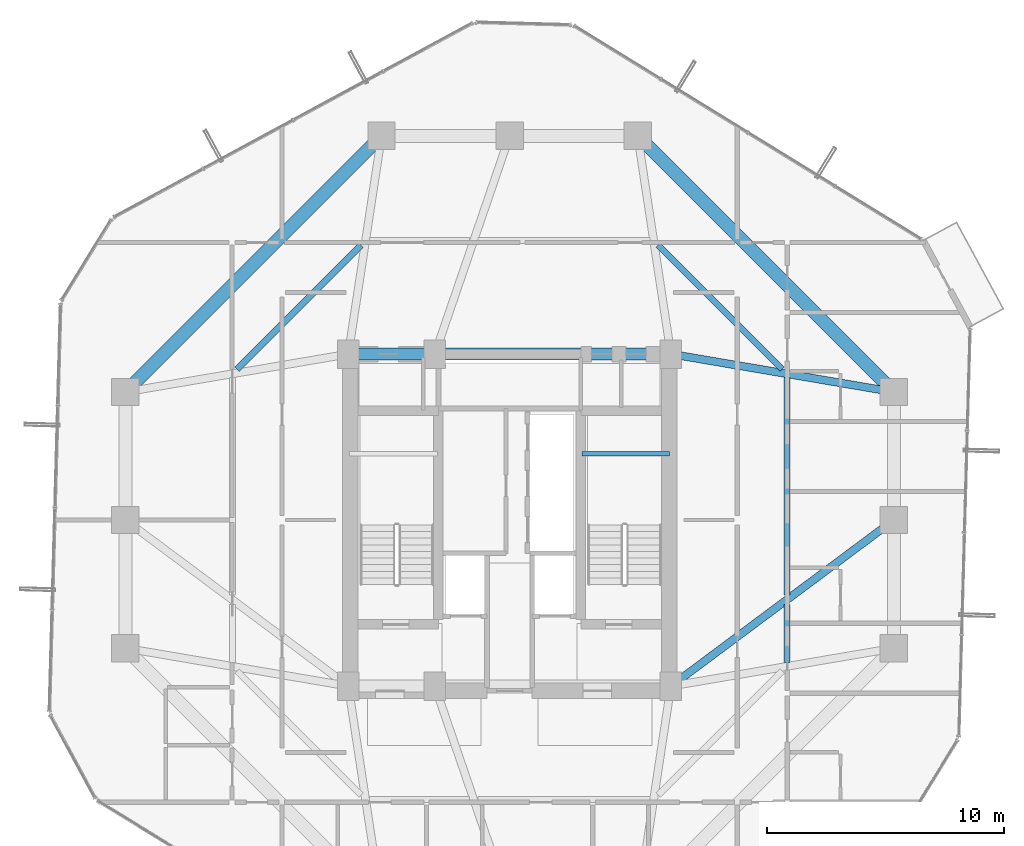
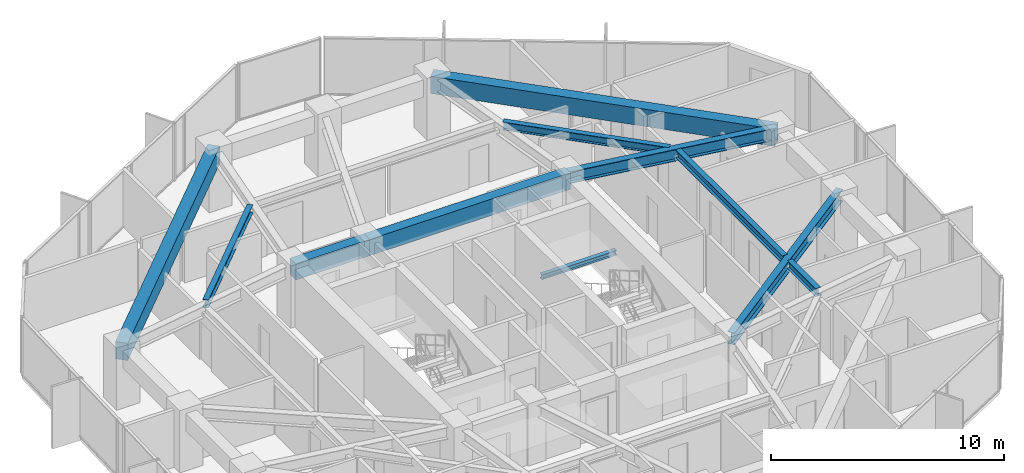
# One storey, part 12 of 30: 11 beams.
"""IFC4 building model written with IfcOpenShell, lengths in metres."""

from ifc_helpers import new_model, si_unit, direction, frame, origin, origin_2d, place, context, subcontext, project, spatial, rectangle, i_section, extrude, material, material_profile, profile_set, type_object, element, save


model = new_model("IFC4")

# Units and contexts
model_context = context("Model", 3, precision=1e-05, world=origin(), true_north=direction((0.0, 1.0)))
body_context = subcontext(model_context, "Body", "Model", "MODEL_VIEW")
ifc_project = project(units=[si_unit("LENGTHUNIT", "METRE"), si_unit("AREAUNIT", "SQUARE_METRE"), si_unit("VOLUMEUNIT", "CUBIC_METRE"), si_unit("PLANEANGLEUNIT", "RADIAN"), si_unit("MASSUNIT", "GRAM", prefix="KILO")], contexts=[model_context])

# Site, building, storey
site_placement = place(None, origin())
site = spatial("IfcSite", under=ifc_project, at=site_placement, CompositionType="ELEMENT")
building_placement = place(site_placement, origin())
building = spatial("IfcBuilding", under=site, at=building_placement, Name="Veraguas Prism Commons", CompositionType="ELEMENT")
storey_placement = place(building_placement, frame((0.0, 0.0, 123.0)))
storey = spatial("IfcBuildingStorey", under=building, at=storey_placement, Name="L34", CompositionType="ELEMENT", Elevation=123.0)

# Beams
ifc_material_1 = material(Name="Concrete C50/60", Category="concrete")
ifc_material_profile_1 = material_profile(ifc_material_1, rectangle(XDim=0.5, YDim=0.85009765625, at=origin_2d()), Name="RC500X850")
ifc_profile_set_1 = profile_set([ifc_material_profile_1], Name="Concrete C50/60")
beam_type_1 = type_object("IfcBeamType", Name="Core Coupling Beam RC 500x850", PredefinedType="BEAM", material=ifc_profile_set_1)
beam_1_placement = place(storey_placement, frame((17.199951171875, 31.0, 2.574951171875), z_axis=(1.0, 0.0, 0.0), x_axis=(0.0, 1.0, 0.0)))
element("IfcBeam", 1, at=beam_1_placement, inside=storey, type_object=beam_type_1, Name="Core Coupling Beam L34-CRN1", PredefinedType="BEAM", context=body_context, shape_type="SweptSolid", body=[
    extrude(rectangle(XDim=0.5, YDim=0.85009765625, at=origin_2d()), origin(), (0.0, 0.0, 1.0), 3.650146484375),
])
beam_2_placement = place(storey_placement, frame((20.85009765625, 31.0, 2.574951171875), z_axis=(1.0, 0.0, 0.0), x_axis=(0.0, 1.0, 0.0)))
element("IfcBeam", 2, at=beam_2_placement, inside=storey, type_object=beam_type_1, Name="Core Coupling Beam L34-CRN2", PredefinedType="BEAM", context=body_context, shape_type="SweptSolid", body=[
    extrude(rectangle(XDim=0.5, YDim=0.85009765625, at=origin_2d()), origin(), (0.0, 0.0, 1.0), 9.949951171875),
])
ifc_material_2 = material(Name="Steel ASTM A992 Grade 50", Category="steel")
ifc_material_profile_2 = material_profile(ifc_material_2, i_section(OverallWidth=0.260986328125, OverallDepth=0.419921875, WebThickness=0.01171875, FlangeThickness=0.019287109375, at=origin_2d()), Name="W410X114")
ifc_profile_set_2 = profile_set([ifc_material_profile_2], Name="Steel ASTM A992 Grade 50")
beam_type_2 = type_object("IfcBeamType", Name="Lower Floor Joist W410x114", PredefinedType="JOIST", material=ifc_profile_set_2)
beam_3_placement = place(storey_placement, frame((35.68798828125, 17.996337890625, 2.7900390625), z_axis=(0.0, 1.0, 0.0), x_axis=(-1.0, 0.0, 0.0)))
element("IfcBeam", 3, at=beam_3_placement, inside=storey, type_object=beam_type_2, Name="Composite Floor Joist L34-JS01", PredefinedType="JOIST", context=body_context, shape_type="SweptSolid", body=[
    extrude(i_section(OverallWidth=0.260986328125, OverallDepth=0.419921875, WebThickness=0.01171875, FlangeThickness=0.019287109375, at=origin_2d()), origin(), (0.0, 0.0, 1.0), 2.441650390625),
])
beam_4_placement = place(storey_placement, frame((35.68798828125, 20.842041015625, 2.7900390625), z_axis=(0.0, 1.0, 0.0), x_axis=(-1.0, 0.0, 0.0)))
element("IfcBeam", 4, at=beam_4_placement, inside=storey, type_object=beam_type_2, Name="Composite Floor Joist L34-JS02", PredefinedType="JOIST", context=body_context, shape_type="SweptSolid", body=[
    extrude(i_section(OverallWidth=0.260986328125, OverallDepth=0.419921875, WebThickness=0.01171875, FlangeThickness=0.019287109375, at=origin_2d()), origin(), (0.0, 0.0, 1.0), 9.16162109375),
])
for number, where, z_axis, x_axis, name in (
    (5, (35.489990234375, 30.365966796875, 2.7900390625), (-0.707090260193, 0.707123301794, 0.0), (-0.707123301794, -0.707090260193, 0.0), "Composite Floor Joist L34-JS03"),
    (6, (17.734619140625, 35.5908203125, 2.7900390625), (-0.707090260193, -0.707123301794, 0.0), (0.707123301794, -0.707090260193, 0.0), "Composite Floor Joist L34-JS06"),
):
    element("IfcBeam", number, at=place(storey_placement, frame(where, z_axis=z_axis, x_axis=x_axis)), inside=storey, type_object=beam_type_2, Name=name, PredefinedType="JOIST", context=body_context, shape_type="SweptSolid", body=[
        extrude(i_section(OverallWidth=0.260986328125, OverallDepth=0.419921875, WebThickness=0.01171875, FlangeThickness=0.019287109375, at=origin_2d()), origin(), (0.0, 0.0, 1.0), 7.388916015625),
    ])
ifc_material_profile_3 = material_profile(ifc_material_1, rectangle(XDim=0.550048828125, YDim=0.89990234375, at=origin_2d()), Name="RC550X900")
ifc_profile_set_3 = profile_set([ifc_material_profile_3], Name="Concrete C50/60")
beam_type_3 = type_object("IfcBeamType", Name="Perimeter Spandrel Lower RC 550x900", PredefinedType="SPANDREL", material=ifc_profile_set_3)
for number, where, z_axis, x_axis, name in (
    (7, (40.199951171875, 29.39990234375, 2.550048828125), (-0.707106781187, 0.707106781187, 0.0), (-0.707106781187, -0.707106781187, 0.0), "Perimeter Spandrel Beam L34-SP03"),
    (8, (18.60009765625, 40.199951171875, 2.550048828125), (-0.707106781187, -0.707106781187, 0.0), (0.707106781187, -0.707106781187, 0.0), "Perimeter Spandrel Beam L34-SP06"),
):
    element("IfcBeam", number, at=place(storey_placement, frame(where, z_axis=z_axis, x_axis=x_axis)), inside=storey, type_object=beam_type_3, Name=name, PredefinedType="SPANDREL", context=body_context, shape_type="SweptSolid", body=[
        extrude(rectangle(XDim=0.550048828125, YDim=0.89990234375, at=origin_2d()), origin(), (0.0, 0.0, 1.0), 15.273681640625),
    ])
ifc_material_profile_4 = material_profile(ifc_material_2, i_section(OverallWidth=0.202880859375, OverallDepth=0.251953125, WebThickness=0.008056640625, FlangeThickness=0.013427734375, at=origin_2d()), Name="W250X58")
ifc_profile_set_4 = profile_set([ifc_material_profile_4], Name="Steel ASTM A992 Grade 50")
beam_type_4 = type_object("IfcBeamType", Name="Structural Opening Lintel W250x58", PredefinedType="LINTEL", material=ifc_profile_set_4)
beam_5_placement = place(storey_placement, frame((27.050048828125, 26.800048828125, 1.299072265625), z_axis=(1.0, 0.0, 0.0), x_axis=(0.0, 1.0, 0.0)))
element("IfcBeam", 9, at=beam_5_placement, inside=storey, type_object=beam_type_4, Name="Stair ST-02 Half-Landing Support Beam L34-1", PredefinedType="LINTEL", context=body_context, shape_type="SweptSolid", body=[
    extrude(i_section(OverallWidth=0.202880859375, OverallDepth=0.251953125, WebThickness=0.008056640625, FlangeThickness=0.013427734375, at=origin_2d()), origin(), (0.0, 0.0, 1.0), 3.699951171875),
])
ifc_material_profile_5 = material_profile(ifc_material_2, i_section(OverallWidth=0.327880859375, OverallDepth=0.6220703125, WebThickness=0.015380859375, FlangeThickness=0.0244140625, at=origin_2d()), Name="W610X195")
ifc_profile_set_5 = profile_set([ifc_material_profile_5], Name="Steel ASTM A992 Grade 50")
beam_type_5 = type_object("IfcBeamType", Name="Zone 2 Radial Girder W610x195", PredefinedType="BEAM", material=ifc_profile_set_5)
beam_6_placement = place(storey_placement, frame((40.199951171875, 24.0, 2.68896484375), z_axis=(-0.802040137921, -0.597270137512, 0.0), x_axis=(0.597270137512, -0.802040137921, 0.0)))
element("IfcBeam", 10, at=beam_6_placement, inside=storey, type_object=beam_type_5, Name="Radial Floor Girder L34-RD02", PredefinedType="BEAM", context=body_context, shape_type="SweptSolid", body=[
    extrude(i_section(OverallWidth=0.327880859375, OverallDepth=0.6220703125, WebThickness=0.015380859375, FlangeThickness=0.0244140625, at=origin_2d()), origin(), (0.0, 0.0, 1.0), 11.719970703125),
])
beam_7_placement = place(storey_placement, frame((40.199951171875, 29.39990234375, 2.68896484375), z_axis=(-0.985819187151, 0.1678109956, 0.0), x_axis=(-0.1678109956, -0.985819187151, 0.0)))
element("IfcBeam", 11, at=beam_7_placement, inside=storey, type_object=beam_type_5, Name="Radial Floor Girder L34-RD03", PredefinedType="BEAM", context=body_context, shape_type="SweptSolid", body=[
    extrude(i_section(OverallWidth=0.327880859375, OverallDepth=0.6220703125, WebThickness=0.015380859375, FlangeThickness=0.0244140625, at=origin_2d()), origin(), (0.0, 0.0, 1.0), 9.53515625),
])

save(model, "model.ifc")
